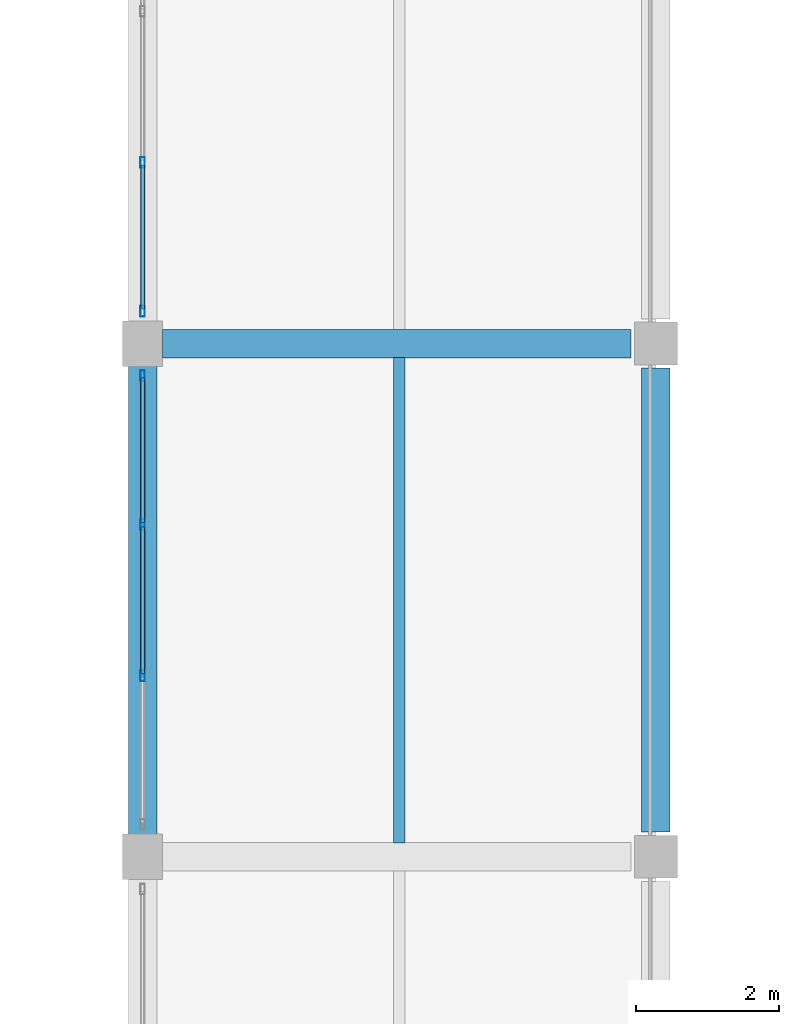
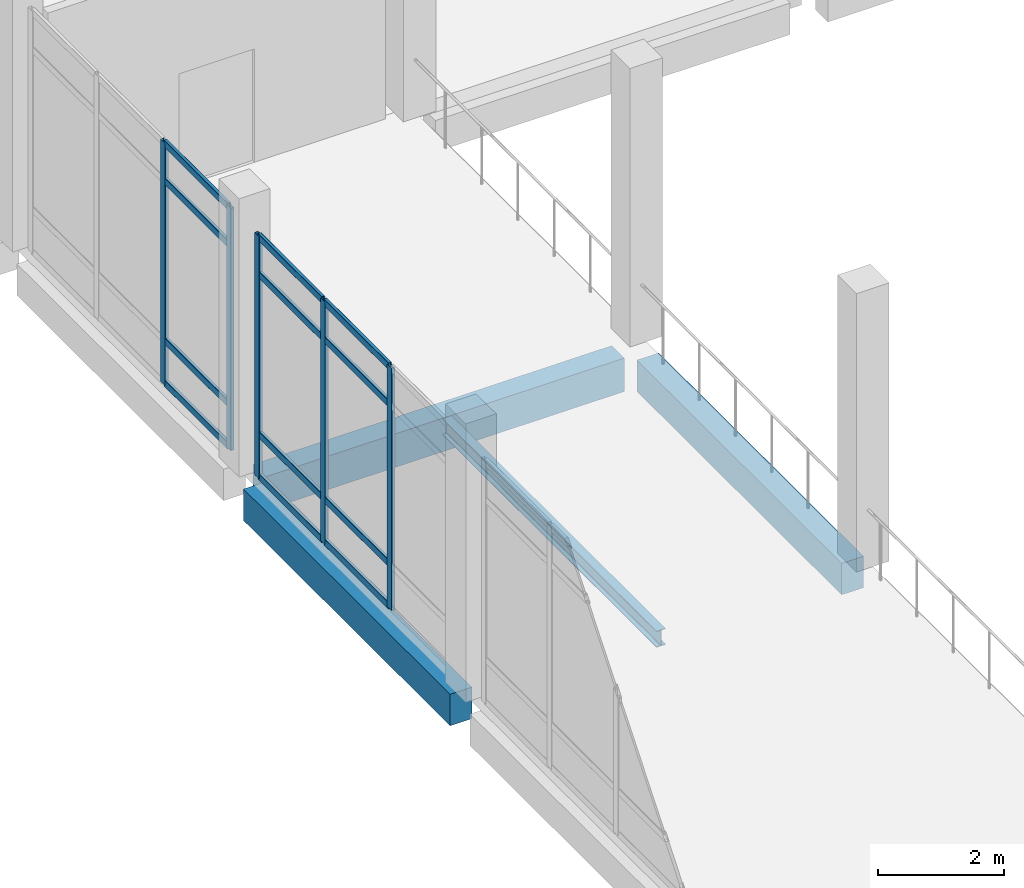
# One storey, part 114 of 180: 17 members, 4 beams, 2 elements without a shape of their own.
"""IFC4 building model written with IfcOpenShell, lengths in metres."""

from ifc_helpers import new_model, si_unit, direction, frame, origin, origin_2d, place, context, subcontext, project, spatial, rectangle, hollow_rectangle, i_section, extrude, material, material_profile, profile_set, type_object, element, aggregate, save


model = new_model("IFC4")

# Units and contexts
model_context = context("Model", 3, precision=1e-05, world=origin(), true_north=direction((0.0, 1.0)))
body_context = subcontext(model_context, "Body", "Model", "MODEL_VIEW")
ifc_project = project(units=[si_unit("LENGTHUNIT", "METRE"), si_unit("AREAUNIT", "SQUARE_METRE"), si_unit("VOLUMEUNIT", "CUBIC_METRE"), si_unit("PLANEANGLEUNIT", "RADIAN"), si_unit("MASSUNIT", "GRAM", prefix="KILO")], contexts=[model_context])

# Site, building, storey
site_placement = place(None, origin())
site = spatial("IfcSite", under=ifc_project, at=site_placement, CompositionType="ELEMENT")
building_placement = place(site_placement, origin())
building = spatial("IfcBuilding", under=site, at=building_placement, Name="Lusvemor Sports Hall", CompositionType="ELEMENT")
storey_placement = place(building_placement, frame((0.0, 0.0, 5.39990234375)))
storey = spatial("IfcBuildingStorey", under=building, at=storey_placement, Name="L01", CompositionType="ELEMENT", Elevation=5.39990234375)

# Beam
ifc_material_1 = material(Name="Concrete C40/50", Category="concrete")
ifc_material_profile_1 = material_profile(ifc_material_1, rectangle(XDim=0.39990234375, YDim=0.64990234375, at=origin_2d()), Name="RC400x650")
ifc_profile_set_1 = profile_set([ifc_material_profile_1], Name="Concrete C40/50")
beam_type_1 = type_object("IfcBeamType", Name="BEAM_RC_650", PredefinedType="BEAM", material=ifc_profile_set_1)
beam_1_placement = place(storey_placement, frame((133.47607421875, 68.39990234375, -0.5849609375), z_axis=(1.0, 0.0, 0.0), x_axis=(0.0, 1.0, 0.0)))
element("IfcBeam", 1, at=beam_1_placement, inside=storey, type_object=beam_type_1, Name="Beam L01 J:15-16", PredefinedType="BEAM", context=body_context, shape_type="SweptSolid", body=[
    extrude(rectangle(XDim=0.39990234375, YDim=0.64990234375, at=origin_2d()), origin(), (0.0, 0.0, 1.0), 6.577880859375),
])

# Curtain wall, members
ifc_material_2 = material(Name="Thermally broken bronze-anodized aluminium", Category="aluminium")
curtain_wall_type = type_object("IfcCurtainWallType", Name="CW_CLIMB_D", PredefinedType="NOTDEFINED", material=ifc_material_2)
curtain_wall_1_placement = place(storey_placement, origin())
curtain_wall_1 = element("IfcCurtainWall", 2, at=curtain_wall_1_placement, inside=storey, type_object=curtain_wall_type, Name="Curtain Wall CW-V3W-L01-2", PredefinedType="NOTDEFINED")
ifc_material_3 = material(Name="Thermally broken bronze-anodized aluminium", Category="aluminium")
ifc_material_profile_2 = material_profile(ifc_material_3, hollow_rectangle(XDim=0.06494140625, YDim=0.14990234375, WallThickness=0.00390625, InnerFilletRadius=0.00390625, OuterFilletRadius=0.008056640625, at=origin_2d()), Name="CWMUL150x65x4")
ifc_profile_set_2 = profile_set([ifc_material_profile_2], Name="Thermally broken bronze-anodized aluminium")
member_type_1 = type_object("IfcMemberType", Name="CW_MUL_B", PredefinedType="MULLION", material=ifc_profile_set_2)
member_1_placement = place(storey_placement, frame((133.199951171875, 63.739990234375, 0.0), z_axis=(0.0, 0.0, 1.0), x_axis=(-1.0, 0.0, 0.0)))
member_1 = element("IfcMember", 3, at=member_1_placement, type_object=member_type_1, Name="CW04 mullion 2", PredefinedType="MULLION", context=body_context, shape_type="SweptSolid", body=[
    extrude(hollow_rectangle(XDim=0.06494140625, YDim=0.14990234375, WallThickness=0.00390625, InnerFilletRadius=0.00390625, OuterFilletRadius=0.008056640625, at=origin_2d()), origin(), (0.0, 0.0, 1.0), 4.7001953125),
])
member_2_placement = place(storey_placement, frame((133.199951171875, 65.860107421875, 0.0), z_axis=(0.0, 0.0, 1.0), x_axis=(-1.0, 0.0, 0.0)))
member_2 = element("IfcMember", 4, at=member_2_placement, type_object=member_type_1, Name="CW04 mullion 3", PredefinedType="MULLION", context=body_context, shape_type="SweptSolid", body=[
    extrude(hollow_rectangle(XDim=0.06494140625, YDim=0.14990234375, WallThickness=0.00390625, InnerFilletRadius=0.00390625, OuterFilletRadius=0.008056640625, at=origin_2d()), origin(), (0.0, 0.0, 1.0), 4.7001953125),
])
member_3_placement = place(storey_placement, frame((133.199951171875, 67.947509765625, 0.0), z_axis=(0.0, 0.0, 1.0), x_axis=(-1.0, 0.0, 0.0)))
member_3 = element("IfcMember", 5, at=member_3_placement, type_object=member_type_1, Name="CW04 mullion 4", PredefinedType="MULLION", context=body_context, shape_type="SweptSolid", body=[
    extrude(hollow_rectangle(XDim=0.06494140625, YDim=0.14990234375, WallThickness=0.00390625, InnerFilletRadius=0.00390625, OuterFilletRadius=0.008056640625, at=origin_2d()), origin(), (0.0, 0.0, 1.0), 4.7001953125),
])

curtain_wall_2_placement = place(storey_placement, origin())
curtain_wall_2 = element("IfcCurtainWall", 6, at=curtain_wall_2_placement, inside=storey, type_object=curtain_wall_type, Name="Curtain Wall CW-V3W-L01-3", PredefinedType="NOTDEFINED")
member_4_placement = place(storey_placement, frame((133.199951171875, 68.8525390625, 0.0), z_axis=(0.0, 0.0, 1.0), x_axis=(-1.0, 0.0, 0.0)))
member_4 = element("IfcMember", 7, at=member_4_placement, type_object=member_type_1, Name="CW04 mullion 1", PredefinedType="MULLION", context=body_context, shape_type="SweptSolid", body=[
    extrude(hollow_rectangle(XDim=0.06494140625, YDim=0.14990234375, WallThickness=0.00390625, InnerFilletRadius=0.00390625, OuterFilletRadius=0.008056640625, at=origin_2d()), origin(), (0.0, 0.0, 1.0), 4.7001953125),
])
member_5_placement = place(storey_placement, frame((133.199951171875, 70.93994140625, 0.0), z_axis=(0.0, 0.0, 1.0), x_axis=(-1.0, 0.0, 0.0)))
member_5 = element("IfcMember", 8, at=member_5_placement, type_object=member_type_1, Name="CW04 mullion 2", PredefinedType="MULLION", context=body_context, shape_type="SweptSolid", body=[
    extrude(hollow_rectangle(XDim=0.06494140625, YDim=0.14990234375, WallThickness=0.00390625, InnerFilletRadius=0.00390625, OuterFilletRadius=0.008056640625, at=origin_2d()), origin(), (0.0, 0.0, 1.0), 4.7001953125),
])

# Member
ifc_material_4 = material(Name="Thermally broken bronze-anodized aluminium", Category="aluminium")
ifc_material_profile_3 = material_profile(ifc_material_4, hollow_rectangle(XDim=0.06005859375, YDim=0.135009765625, WallThickness=0.00390625, InnerFilletRadius=0.00390625, OuterFilletRadius=0.008056640625, at=origin_2d()), Name="CWTRN135x60x4")
ifc_profile_set_3 = profile_set([ifc_material_profile_3], Name="Thermally broken bronze-anodized aluminium")
member_type_2 = type_object("IfcMemberType", Name="CW_TRN_B", PredefinedType="USERDEFINED", material=ifc_profile_set_3)
member_6_placement = place(storey_placement, frame((133.199951171875, 63.7724609375, 0.030029296875), z_axis=(0.0, 1.0, 0.0), x_axis=(-1.0, 0.0, 0.0)))
member_6 = element("IfcMember", 9, at=member_6_placement, type_object=member_type_2, Name="CW04 transom 2.1", ObjectType="TRANSOM", PredefinedType="USERDEFINED", context=body_context, shape_type="SweptSolid", body=[
    extrude(hollow_rectangle(XDim=0.06005859375, YDim=0.135009765625, WallThickness=0.00390625, InnerFilletRadius=0.00390625, OuterFilletRadius=0.008056640625, at=origin_2d()), origin(), (0.0, 0.0, 1.0), 2.054931640625),
])

member_7_placement = place(storey_placement, frame((133.199951171875, 63.7724609375, 0.85009765625), z_axis=(0.0, 1.0, 0.0), x_axis=(-1.0, 0.0, 0.0)))
member_7 = element("IfcMember", 10, at=member_7_placement, type_object=member_type_2, Name="CW04 transom 2.2", ObjectType="TRANSOM", PredefinedType="USERDEFINED", context=body_context, shape_type="SweptSolid", body=[
    extrude(hollow_rectangle(XDim=0.06005859375, YDim=0.135009765625, WallThickness=0.00390625, InnerFilletRadius=0.00390625, OuterFilletRadius=0.008056640625, at=origin_2d()), origin(), (0.0, 0.0, 1.0), 2.054931640625),
])

member_8_placement = place(storey_placement, frame((133.199951171875, 63.7724609375, 3.9501953125), z_axis=(0.0, 1.0, 0.0), x_axis=(-1.0, 0.0, 0.0)))
member_8 = element("IfcMember", 11, at=member_8_placement, type_object=member_type_2, Name="CW04 transom 2.3", ObjectType="TRANSOM", PredefinedType="USERDEFINED", context=body_context, shape_type="SweptSolid", body=[
    extrude(hollow_rectangle(XDim=0.06005859375, YDim=0.135009765625, WallThickness=0.00390625, InnerFilletRadius=0.00390625, OuterFilletRadius=0.008056640625, at=origin_2d()), origin(), (0.0, 0.0, 1.0), 2.054931640625),
])

member_9_placement = place(storey_placement, frame((133.199951171875, 63.7724609375, 4.670166015625), z_axis=(0.0, 1.0, 0.0), x_axis=(-1.0, 0.0, 0.0)))
member_9 = element("IfcMember", 12, at=member_9_placement, type_object=member_type_2, Name="CW04 transom 2.4", ObjectType="TRANSOM", PredefinedType="USERDEFINED", context=body_context, shape_type="SweptSolid", body=[
    extrude(hollow_rectangle(XDim=0.06005859375, YDim=0.135009765625, WallThickness=0.00390625, InnerFilletRadius=0.00390625, OuterFilletRadius=0.008056640625, at=origin_2d()), origin(), (0.0, 0.0, 1.0), 2.054931640625),
])

member_10_placement = place(storey_placement, frame((133.199951171875, 65.892578125, 0.030029296875), z_axis=(0.0, 1.0, 0.0), x_axis=(-1.0, 0.0, 0.0)))
member_10 = element("IfcMember", 13, at=member_10_placement, type_object=member_type_2, Name="CW04 transom 3.1", ObjectType="TRANSOM", PredefinedType="USERDEFINED", context=body_context, shape_type="SweptSolid", body=[
    extrude(hollow_rectangle(XDim=0.06005859375, YDim=0.135009765625, WallThickness=0.00390625, InnerFilletRadius=0.00390625, OuterFilletRadius=0.008056640625, at=origin_2d()), origin(), (0.0, 0.0, 1.0), 2.0224609375),
])

member_11_placement = place(storey_placement, frame((133.199951171875, 65.892578125, 0.85009765625), z_axis=(0.0, 1.0, 0.0), x_axis=(-1.0, 0.0, 0.0)))
member_11 = element("IfcMember", 14, at=member_11_placement, type_object=member_type_2, Name="CW04 transom 3.2", ObjectType="TRANSOM", PredefinedType="USERDEFINED", context=body_context, shape_type="SweptSolid", body=[
    extrude(hollow_rectangle(XDim=0.06005859375, YDim=0.135009765625, WallThickness=0.00390625, InnerFilletRadius=0.00390625, OuterFilletRadius=0.008056640625, at=origin_2d()), origin(), (0.0, 0.0, 1.0), 2.0224609375),
])

member_12_placement = place(storey_placement, frame((133.199951171875, 65.892578125, 3.9501953125), z_axis=(0.0, 1.0, 0.0), x_axis=(-1.0, 0.0, 0.0)))
member_12 = element("IfcMember", 15, at=member_12_placement, type_object=member_type_2, Name="CW04 transom 3.3", ObjectType="TRANSOM", PredefinedType="USERDEFINED", context=body_context, shape_type="SweptSolid", body=[
    extrude(hollow_rectangle(XDim=0.06005859375, YDim=0.135009765625, WallThickness=0.00390625, InnerFilletRadius=0.00390625, OuterFilletRadius=0.008056640625, at=origin_2d()), origin(), (0.0, 0.0, 1.0), 2.0224609375),
])

member_13_placement = place(storey_placement, frame((133.199951171875, 65.892578125, 4.670166015625), z_axis=(0.0, 1.0, 0.0), x_axis=(-1.0, 0.0, 0.0)))
member_13 = element("IfcMember", 16, at=member_13_placement, type_object=member_type_2, Name="CW04 transom 3.4", ObjectType="TRANSOM", PredefinedType="USERDEFINED", context=body_context, shape_type="SweptSolid", body=[
    extrude(hollow_rectangle(XDim=0.06005859375, YDim=0.135009765625, WallThickness=0.00390625, InnerFilletRadius=0.00390625, OuterFilletRadius=0.008056640625, at=origin_2d()), origin(), (0.0, 0.0, 1.0), 2.0224609375),
])

aggregate(curtain_wall_1, [member_1, member_2, member_3, member_6, member_7, member_8, member_9, member_10, member_11, member_12, member_13])

member_14_placement = place(storey_placement, frame((133.199951171875, 68.885009765625, 0.030029296875), z_axis=(0.0, 1.0, 0.0), x_axis=(-1.0, 0.0, 0.0)))
member_14 = element("IfcMember", 17, at=member_14_placement, type_object=member_type_2, Name="CW04 transom 1.1", ObjectType="TRANSOM", PredefinedType="USERDEFINED", context=body_context, shape_type="SweptSolid", body=[
    extrude(hollow_rectangle(XDim=0.06005859375, YDim=0.135009765625, WallThickness=0.00390625, InnerFilletRadius=0.00390625, OuterFilletRadius=0.008056640625, at=origin_2d()), origin(), (0.0, 0.0, 1.0), 2.0224609375),
])

member_15_placement = place(storey_placement, frame((133.199951171875, 68.885009765625, 0.85009765625), z_axis=(0.0, 1.0, 0.0), x_axis=(-1.0, 0.0, 0.0)))
member_15 = element("IfcMember", 18, at=member_15_placement, type_object=member_type_2, Name="CW04 transom 1.2", ObjectType="TRANSOM", PredefinedType="USERDEFINED", context=body_context, shape_type="SweptSolid", body=[
    extrude(hollow_rectangle(XDim=0.06005859375, YDim=0.135009765625, WallThickness=0.00390625, InnerFilletRadius=0.00390625, OuterFilletRadius=0.008056640625, at=origin_2d()), origin(), (0.0, 0.0, 1.0), 2.0224609375),
])

member_16_placement = place(storey_placement, frame((133.199951171875, 68.885009765625, 3.9501953125), z_axis=(0.0, 1.0, 0.0), x_axis=(-1.0, 0.0, 0.0)))
member_16 = element("IfcMember", 19, at=member_16_placement, type_object=member_type_2, Name="CW04 transom 1.3", ObjectType="TRANSOM", PredefinedType="USERDEFINED", context=body_context, shape_type="SweptSolid", body=[
    extrude(hollow_rectangle(XDim=0.06005859375, YDim=0.135009765625, WallThickness=0.00390625, InnerFilletRadius=0.00390625, OuterFilletRadius=0.008056640625, at=origin_2d()), origin(), (0.0, 0.0, 1.0), 2.0224609375),
])

member_17_placement = place(storey_placement, frame((133.199951171875, 68.885009765625, 4.670166015625), z_axis=(0.0, 1.0, 0.0), x_axis=(-1.0, 0.0, 0.0)))
member_17 = element("IfcMember", 20, at=member_17_placement, type_object=member_type_2, Name="CW04 transom 1.4", ObjectType="TRANSOM", PredefinedType="USERDEFINED", context=body_context, shape_type="SweptSolid", body=[
    extrude(hollow_rectangle(XDim=0.06005859375, YDim=0.135009765625, WallThickness=0.00390625, InnerFilletRadius=0.00390625, OuterFilletRadius=0.008056640625, at=origin_2d()), origin(), (0.0, 0.0, 1.0), 2.0224609375),
])

aggregate(curtain_wall_2, [member_4, member_5, member_14, member_15, member_16, member_17])

# Beams
ifc_material_5 = material(Name="Steel S355", Category="steel")
ifc_material_profile_4 = material_profile(ifc_material_5, i_section(OverallWidth=0.1669921875, OverallDepth=0.31689453125, WebThickness=0.007568359375, FlangeThickness=0.01318359375, FilletRadius=0.014892578125, at=origin_2d()), Name="W310x52.0")
ifc_profile_set_4 = profile_set([ifc_material_profile_4], Name="Steel S355")
beam_type_2 = type_object("IfcBeamType", Name="JOIST_ST_310M", PredefinedType="JOIST", material=ifc_profile_set_4)
beam_2_placement = place(storey_placement, frame((136.800048828125, 61.39599609375, -0.42236328125), z_axis=(0.0, 1.0, 0.0), x_axis=(-1.0, 0.0, 0.0)))
element("IfcBeam", 21, at=beam_2_placement, inside=storey, type_object=beam_type_2, Name="Secondary Joist L01 15-16/H-J #1", PredefinedType="JOIST", context=body_context, shape_type="SweptSolid", body=[
    extrude(i_section(OverallWidth=0.1669921875, OverallDepth=0.31689453125, WebThickness=0.007568359375, FlangeThickness=0.01318359375, FilletRadius=0.014892578125, at=origin_2d()), origin(), (0.0, 0.0, 1.0), 6.80810546875),
])
ifc_material_6 = material(Name="Concrete C40/50", Category="concrete")
ifc_material_profile_5 = material_profile(ifc_material_6, rectangle(XDim=0.39990234375, YDim=0.610107421875, at=origin_2d()), Name="RC400x610")
ifc_profile_set_5 = profile_set([ifc_material_profile_5], Name="Concrete C40/50")
beam_type_3 = type_object("IfcBeamType", Name="SPAND_EXT_650", PredefinedType="SPANDREL", material=ifc_profile_set_5)
beam_3_placement = place(storey_placement, frame((133.199951171875, 61.51611328125, -0.56494140625), z_axis=(0.0, 1.0, 0.0), x_axis=(-1.0, 0.0, 0.0)))
element("IfcBeam", 22, at=beam_3_placement, inside=storey, type_object=beam_type_3, Name="Beam L01 15:H-J", PredefinedType="SPANDREL", context=body_context, shape_type="SweptSolid", body=[
    extrude(rectangle(XDim=0.39990234375, YDim=0.610107421875, at=origin_2d()), origin(), (0.0, 0.0, 1.0), 6.56787109375),
])
beam_4_placement = place(storey_placement, frame((140.39990234375, 61.5458984375, -0.56494140625), z_axis=(0.0, 1.0, 0.0), x_axis=(-1.0, 0.0, 0.0)))
element("IfcBeam", 23, at=beam_4_placement, inside=storey, type_object=beam_type_3, Name="Beam L01 16:H-J", PredefinedType="SPANDREL", context=body_context, shape_type="SweptSolid", body=[
    extrude(rectangle(XDim=0.39990234375, YDim=0.610107421875, at=origin_2d()), origin(), (0.0, 0.0, 1.0), 6.508056640625),
])

save(model, "model.ifc")
